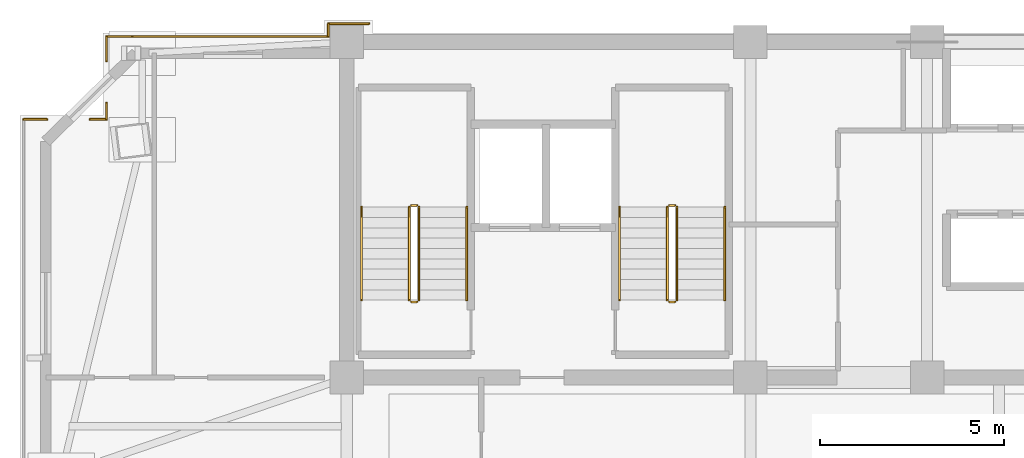
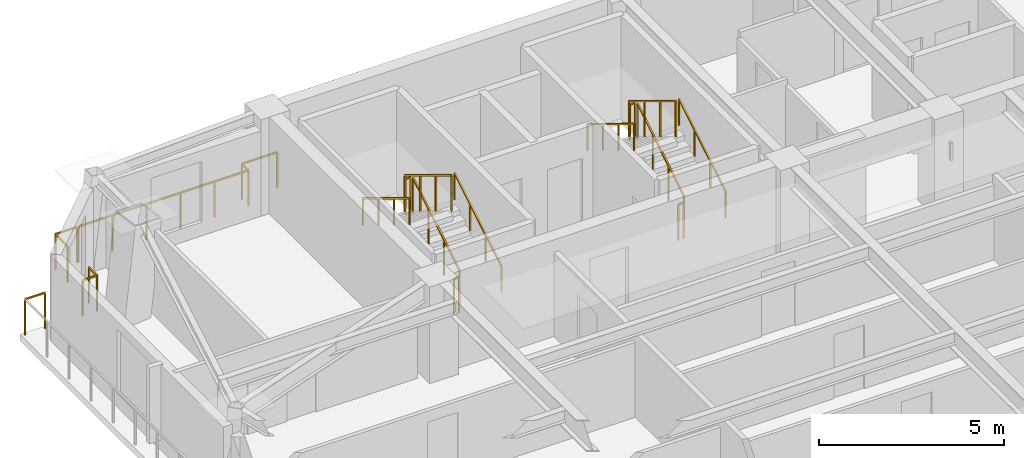
# One storey, part 11 of 12: 20 railings.
"""IFC4 building model written with IfcOpenShell, lengths in metres."""

import ifcopenshell
import ifcopenshell.guid

model = None  # the IFC model being written
_history = None  # IfcOwnerHistory: only IFC2X3 demands one
_inside = {}  # id of a spatial element -> (the spatial element, [elements in it])
_under = {}  # id of a project, library or spatial element -> (it, [spatial elements below it])
_declared = {}  # id of a project -> (the project, [libraries it declares])
_typed = {}  # id of a type object -> (the type object, [elements of that type])
_made_of = {}  # id of a material, layer set ... -> (it, [elements and type objects made of it])


def new_model(schema):
    """Start an empty IFC model of exactly this schema.

    Asked for "IFC4X3", IfcOpenShell would pick the latest addendum, in which some entities
    have other attributes; the version numbers below select the first issue.
    IFC2X3 requires an IfcOwnerHistory on every rooted entity: one is made here for all.
    """
    global model, _history
    if schema == "IFC4X3":
        model = ifcopenshell.file(schema_version=(4, 3, 0, 0))
    else:
        model = ifcopenshell.file(schema=schema)
    _inside.clear()
    _under.clear()
    _declared.clear()
    _typed.clear()
    _made_of.clear()
    _history = None
    if model.schema == "IFC2X3":
        org = make("IfcOrganization", Name="unknown")
        user = make(
            "IfcPersonAndOrganization",
            ThePerson=make("IfcPerson", FamilyName="unknown"),
            TheOrganization=org,
        )
        app = make(
            "IfcApplication",
            ApplicationDeveloper=org,
            Version="unknown",
            ApplicationFullName="unknown",
            ApplicationIdentifier="unknown",
        )
        _history = make(
            "IfcOwnerHistory",
            OwningUser=user,
            OwningApplication=app,
            ChangeAction="ADDED",
            CreationDate=0,
        )
    return model


def make(cls, **values):
    """One entity of the class cls with the attributes given. An attribute that is None is left unset."""
    return model.create_entity(
        cls, **{name: value for name, value in values.items() if value is not None}
    )


def rooted(cls, **values):
    """An entity with a GlobalId (a new one), such as an element, a storey or a relation."""
    return make(cls, GlobalId=ifcopenshell.guid.new(), OwnerHistory=_history, **values)


def si_unit(unit_type, name, prefix=None):
    """IfcSIUnit, for example si_unit("LENGTHUNIT", "METRE", prefix="MILLI")."""
    return make("IfcSIUnit", UnitType=unit_type, Prefix=prefix, Name=name)


def assignment(units):
    """IfcUnitAssignment: the units of a project."""
    return None if units is None else make("IfcUnitAssignment", Units=units)


def point(xyz):
    """IfcCartesianPoint."""
    return None if xyz is None else make("IfcCartesianPoint", Coordinates=xyz)


def direction(xyz):
    """IfcDirection."""
    return None if xyz is None else make("IfcDirection", DirectionRatios=xyz)


def frame(location, z_axis=None, x_axis=None):
    """IfcAxis2Placement3D, a coordinate frame: its origin and axes. An axis left out is left unset."""
    return make(
        "IfcAxis2Placement3D",
        Location=point(location),
        Axis=direction(z_axis),
        RefDirection=direction(x_axis),
    )


def frame_2d(location, x_axis=None):
    """IfcAxis2Placement2D, a coordinate frame in the plane: its origin and x axis."""
    return make(
        "IfcAxis2Placement2D", Location=point(location), RefDirection=direction(x_axis)
    )


def origin():
    """The frame at (0, 0, 0) with its axes left unset."""
    return frame((0.0, 0.0, 0.0))


def origin_2d():
    """The frame at (0, 0) in the plane with its x axis left unset."""
    return frame_2d((0.0, 0.0))


def place(relative_to, where):
    """IfcLocalPlacement: puts the frame where relative to a parent placement (None: the world)."""
    return make(
        "IfcLocalPlacement", PlacementRelTo=relative_to, RelativePlacement=where
    )


def context(
    kind, dimensions, precision=None, world=None, true_north=None, identifier=None
):
    """IfcGeometricRepresentationContext, for example the 3D "Model" context."""
    return make(
        "IfcGeometricRepresentationContext",
        ContextIdentifier=identifier,
        ContextType=kind,
        CoordinateSpaceDimension=dimensions,
        Precision=precision,
        WorldCoordinateSystem=world,
        TrueNorth=true_north,
    )


def subcontext(parent, identifier, kind, view, scale=None):
    """IfcGeometricRepresentationSubContext, for example "Body" below "Model"."""
    return make(
        "IfcGeometricRepresentationSubContext",
        ContextIdentifier=identifier,
        ContextType=kind,
        ParentContext=parent,
        TargetScale=scale,
        TargetView=view,
    )


def project(units=None, contexts=None):
    """IfcProject with its units and contexts."""
    return rooted(
        "IfcProject",
        Name="project",
        RepresentationContexts=contexts,
        UnitsInContext=assignment(units),
    )


def spatial(cls, under=None, at=None, **own):
    """A site, building, storey or space (cls), placed at a placement, below another one or the project."""
    s = rooted(cls, ObjectPlacement=at, **own)
    if under is not None:
        _under.setdefault(under.id(), (under, []))[1].append(s)
    return s


def profile(cls, at=None, kind="AREA", **sizes):
    """A parametric profile (cls). Its sizes go by their IFC names, for example OverallWidth=200.0."""
    return make(cls, ProfileType=kind, Position=at, **sizes)


def rectangle(**sizes):
    """IfcRectangleProfileDef."""
    return profile("IfcRectangleProfileDef", **sizes)


def extrude(swept, where, along, depth):
    """IfcExtrudedAreaSolid: the profile swept, set in the frame where, extruded along a direction by depth."""
    return make(
        "IfcExtrudedAreaSolid",
        SweptArea=swept,
        Position=where,
        ExtrudedDirection=direction(along),
        Depth=depth,
    )


def shape(context_of_items, identifier, shape_type, items):
    """IfcShapeRepresentation: the items that make up one representation, for example the "Body"."""
    return make(
        "IfcShapeRepresentation",
        ContextOfItems=context_of_items,
        RepresentationIdentifier=identifier,
        RepresentationType=shape_type,
        Items=items,
    )


def material(Name=None, Category=None):
    """IfcMaterial."""
    return make("IfcMaterial", Name=Name, Category=Category)


def made_of(thing, what):
    """Note that an element or type object is made of a material, layer set ...; save() writes the relation."""
    if what is not None:
        _made_of.setdefault(what.id(), (what, []))[1].append(thing)
    return thing


def type_object(cls, material=None, **own):
    """A type object (cls), such as IfcWallType, which elements share."""
    return made_of(rooted(cls, **own), material)


def element(
    cls,
    number,
    at=None,
    inside=None,
    cuts=None,
    type_object=None,
    material=None,
    context=None,
    identifier="Body",
    shape_type=None,
    held_by="IfcProductDefinitionShape",
    body=None,
    shapes=None,
    **own,
):
    """One element of the class cls, such as IfcWall. Its Tag is "e" and its number.

    at: its placement. inside: the storey or other place that contains it. cuts: it is an
    opening in that element (IfcRelVoidsElement). A single representation is given by context,
    identifier, shape_type and body (its items); several are given by shapes. held_by: the class
    of the entity that holds the representations. save() writes the other relations.
    """
    e = rooted(cls, Tag="e%d" % number, ObjectPlacement=at, **own)
    if body is not None:
        shapes = [shape(context, identifier, shape_type, body)]
    if shapes is not None:
        e.Representation = make(held_by, Representations=shapes)
    if inside is not None:
        _inside.setdefault(inside.id(), (inside, []))[1].append(e)
    if cuts is not None:
        rooted(
            "IfcRelVoidsElement", RelatingBuildingElement=cuts, RelatedOpeningElement=e
        )
    if type_object is not None:
        _typed.setdefault(type_object.id(), (type_object, []))[1].append(e)
    return made_of(e, material)


def aggregate(whole, parts):
    """IfcRelAggregates: a whole, such as a stair, and the parts it consists of."""
    return rooted("IfcRelAggregates", RelatingObject=whole, RelatedObjects=parts)


def save(model, path):
    """Write the relations noted so far, then the file.

    IfcRelAggregates (storeys below a building ...), IfcRelContainedInSpatialStructure (elements
    in a storey), IfcRelDefinesByType, IfcRelAssociatesMaterial and IfcRelDeclares: one each for
    every whole, place, type object, material and project.
    """
    for whole, parts in _under.values():
        aggregate(whole, parts)
    for where, things in _inside.values():
        rooted(
            "IfcRelContainedInSpatialStructure",
            RelatedElements=things,
            RelatingStructure=where,
        )
    for kind, things in _typed.values():
        rooted("IfcRelDefinesByType", RelatedObjects=things, RelatingType=kind)
    for what, things in _made_of.values():
        rooted("IfcRelAssociatesMaterial", RelatedObjects=things, RelatingMaterial=what)
    for by, libraries in _declared.values():
        rooted("IfcRelDeclares", RelatingContext=by, RelatedDefinitions=libraries)
    model.write(path)


model = new_model("IFC4")

# Units and contexts
model_context = context("Model", 3, precision=1e-05, world=origin(), true_north=direction((0.0, 1.0)))
body_context = subcontext(model_context, "Body", "Model", "MODEL_VIEW")
ifc_project = project(units=[si_unit("LENGTHUNIT", "METRE"), si_unit("AREAUNIT", "SQUARE_METRE"), si_unit("VOLUMEUNIT", "CUBIC_METRE"), si_unit("PLANEANGLEUNIT", "RADIAN"), si_unit("MASSUNIT", "GRAM", prefix="KILO")], contexts=[model_context])

# Site, building, storey
site_placement = place(None, origin())
site = spatial("IfcSite", under=ifc_project, at=site_placement, CompositionType="ELEMENT")
building_placement = place(site_placement, origin())
building = spatial("IfcBuilding", under=site, at=building_placement, Name="Giltprow Tower", CompositionType="ELEMENT")
storey_placement = place(building_placement, frame((0.0, 0.0, 342.5)))
storey = spatial("IfcBuildingStorey", under=building, at=storey_placement, Name="L89", CompositionType="ELEMENT", Elevation=342.5)

# Railings
ifc_material = material(Name="Anodized bronze", Category="metal")
railing_type_1 = type_object("IfcRailingType", Name="RAIL-BALC-GUARD-1200", PredefinedType="BALUSTRADE", material=ifc_material)
railing_1_placement = place(storey_placement, frame((11.0849609375, 44.4541015625, 0.0)))
element("IfcRailing", 1, at=railing_1_placement, inside=storey, type_object=railing_type_1, Name="L89 Corner Apron Edge Balustrade 14", PredefinedType="BALUSTRADE", context=body_context, shape_type="SweptSolid", body=[
    extrude(rectangle(XDim=0.048095703125, YDim=0.048095703125, at=origin_2d()), frame((0.0, 0.0, 1.17578125), z_axis=(1.0, 0.0, 0.0), x_axis=(0.0, 1.0, 0.0)), (0.0, 0.0, 1.0), 0.626953125),
    extrude(rectangle(XDim=0.0419921875, YDim=0.0419921875, at=origin_2d()), origin(), (0.0, 0.0, 1.0), 1.15185546875),
    extrude(rectangle(XDim=0.0419921875, YDim=0.0419921875, at=origin_2d()), frame((0.626953125, 0.0, 0.0)), (0.0, 0.0, 1.0), 1.15185546875),
])
railing_2_placement = place(storey_placement, frame((12.883056640625, 44.4541015625, 0.0)))
element("IfcRailing", 2, at=railing_2_placement, inside=storey, type_object=railing_type_1, Name="L89 Corner Apron Edge Balustrade 15", PredefinedType="BALUSTRADE", context=body_context, shape_type="SweptSolid", body=[
    extrude(rectangle(XDim=0.048095703125, YDim=0.048095703125, at=origin_2d()), frame((0.0, 0.0, 1.17578125), z_axis=(1.0, 0.0, 0.0), x_axis=(0.0, 1.0, 0.0)), (0.0, 0.0, 1.0), 0.447998046875),
    extrude(rectangle(XDim=0.0419921875, YDim=0.0419921875, at=origin_2d()), origin(), (0.0, 0.0, 1.0), 1.15185546875),
    extrude(rectangle(XDim=0.0419921875, YDim=0.0419921875, at=origin_2d()), frame((0.447998046875, 0.0, 0.0)), (0.0, 0.0, 1.0), 1.15185546875),
])
railing_3_placement = place(storey_placement, frame((13.3310546875, 44.4541015625, 0.0)))
element("IfcRailing", 3, at=railing_3_placement, inside=storey, type_object=railing_type_1, Name="L89 Corner Apron Edge Balustrade 16", PredefinedType="BALUSTRADE", context=body_context, shape_type="SweptSolid", body=[
    extrude(rectangle(XDim=0.048095703125, YDim=0.048095703125, at=origin_2d()), frame((0.0, 0.0, 1.17578125), z_axis=(0.0, 1.0, 0.0), x_axis=(-1.0, 0.0, 0.0)), (0.0, 0.0, 1.0), 0.43798828125),
    extrude(rectangle(XDim=0.0419921875, YDim=0.0419921875, at=origin_2d()), origin(), (0.0, 0.0, 1.0), 1.15185546875),
    extrude(rectangle(XDim=0.0419921875, YDim=0.0419921875, at=origin_2d()), frame((0.0, 0.43798828125, 0.0)), (0.0, 0.0, 1.0), 1.15185546875),
])
railing_4_placement = place(storey_placement, frame((13.3310546875, 46.0400390625, 0.0)))
element("IfcRailing", 4, at=railing_4_placement, inside=storey, type_object=railing_type_1, Name="L89 Corner Apron Edge Balustrade 17", PredefinedType="BALUSTRADE", context=body_context, shape_type="SweptSolid", body=[
    extrude(rectangle(XDim=0.048095703125, YDim=0.048095703125, at=origin_2d()), frame((0.0, 0.0, 1.17578125), z_axis=(0.0, 1.0, 0.0), x_axis=(-1.0, 0.0, 0.0)), (0.0, 0.0, 1.0), 0.659912109375),
    extrude(rectangle(XDim=0.0419921875, YDim=0.0419921875, at=origin_2d()), origin(), (0.0, 0.0, 1.0), 1.15185546875),
    extrude(rectangle(XDim=0.0419921875, YDim=0.0419921875, at=origin_2d()), frame((0.0, 0.659912109375, 0.0)), (0.0, 0.0, 1.0), 1.15185546875),
])
railing_5_placement = place(storey_placement, frame((13.3310546875, 46.699951171875, 0.0)))
element("IfcRailing", 5, at=railing_5_placement, inside=storey, type_object=railing_type_1, Name="L89 Corner Apron Edge Balustrade 18", PredefinedType="BALUSTRADE", context=body_context, shape_type="SweptSolid", body=[
    extrude(rectangle(XDim=0.048095703125, YDim=0.048095703125, at=origin_2d()), frame((0.0, 0.0, 1.17578125), z_axis=(1.0, 0.0, 0.0), x_axis=(0.0, 1.0, 0.0)), (0.0, 0.0, 1.0), 0.6728515625),
    extrude(rectangle(XDim=0.0419921875, YDim=0.0419921875, at=origin_2d()), origin(), (0.0, 0.0, 1.0), 1.15185546875),
    extrude(rectangle(XDim=0.0419921875, YDim=0.0419921875, at=origin_2d()), frame((0.6728515625, 0.0, 0.0)), (0.0, 0.0, 1.0), 1.15185546875),
])
railing_6_placement = place(storey_placement, frame((14.053955078125, 46.699951171875, 0.0)))
element("IfcRailing", 6, at=railing_6_placement, inside=storey, type_object=railing_type_1, Name="L89 Corner Apron Edge Balustrade 19", PredefinedType="BALUSTRADE", context=body_context, shape_type="SweptSolid", body=[
    extrude(rectangle(XDim=0.048095703125, YDim=0.048095703125, at=origin_2d()), frame((0.0, 0.0, 1.17578125), z_axis=(1.0, 0.0, 0.0), x_axis=(0.0, 1.0, 0.0)), (0.0, 0.0, 1.0), 5.296142578125),
    extrude(rectangle(XDim=0.0419921875, YDim=0.0419921875, at=origin_2d()), origin(), (0.0, 0.0, 1.0), 1.15185546875),
    extrude(rectangle(XDim=0.0419921875, YDim=0.0419921875, at=origin_2d()), frame((1.059326171875, 0.0, 0.0)), (0.0, 0.0, 1.0), 1.15185546875),
    extrude(rectangle(XDim=0.0419921875, YDim=0.0419921875, at=origin_2d()), frame((2.118408203125, 0.0, 0.0)), (0.0, 0.0, 1.0), 1.15185546875),
    extrude(rectangle(XDim=0.0419921875, YDim=0.0419921875, at=origin_2d()), frame((3.177734375, 0.0, 0.0)), (0.0, 0.0, 1.0), 1.15185546875),
    extrude(rectangle(XDim=0.0419921875, YDim=0.0419921875, at=origin_2d()), frame((4.23681640625, 0.0, 0.0)), (0.0, 0.0, 1.0), 1.15185546875),
    extrude(rectangle(XDim=0.0419921875, YDim=0.0419921875, at=origin_2d()), frame((5.296142578125, 0.0, 0.0)), (0.0, 0.0, 1.0), 1.15185546875),
])
railing_7_placement = place(storey_placement, frame((19.35009765625, 46.699951171875, 0.0)))
element("IfcRailing", 7, at=railing_7_placement, inside=storey, type_object=railing_type_1, Name="L89 Corner Apron Edge Balustrade 20", PredefinedType="BALUSTRADE", context=body_context, shape_type="SweptSolid", body=[
    extrude(rectangle(XDim=0.048095703125, YDim=0.048095703125, at=origin_2d()), frame((0.0, 0.0, 1.17578125), z_axis=(0.0, 1.0, 0.0), x_axis=(-1.0, 0.0, 0.0)), (0.0, 0.0, 1.0), 0.35009765625),
    extrude(rectangle(XDim=0.0419921875, YDim=0.0419921875, at=origin_2d()), origin(), (0.0, 0.0, 1.0), 1.15185546875),
    extrude(rectangle(XDim=0.0419921875, YDim=0.0419921875, at=origin_2d()), frame((0.0, 0.35009765625, 0.0)), (0.0, 0.0, 1.0), 1.15185546875),
])
railing_8_placement = place(storey_placement, frame((19.35009765625, 47.050048828125, 0.0)))
element("IfcRailing", 8, at=railing_8_placement, inside=storey, type_object=railing_type_1, Name="L89 Corner Apron Edge Balustrade 21", PredefinedType="BALUSTRADE", context=body_context, shape_type="SweptSolid", body=[
    extrude(rectangle(XDim=0.048095703125, YDim=0.048095703125, at=origin_2d()), frame((0.0, 0.0, 1.17578125), z_axis=(1.0, 0.0, 0.0), x_axis=(0.0, 1.0, 0.0)), (0.0, 0.0, 1.0), 1.099853515625),
    extrude(rectangle(XDim=0.0419921875, YDim=0.0419921875, at=origin_2d()), origin(), (0.0, 0.0, 1.0), 1.15185546875),
    extrude(rectangle(XDim=0.0419921875, YDim=0.0419921875, at=origin_2d()), frame((1.099853515625, 0.0, 0.0)), (0.0, 0.0, 1.0), 1.15185546875),
])
railing_type_2 = type_object("IfcRailingType", Name="RAIL-STAIR-GUARD-1200", PredefinedType="GUARDRAIL", material=ifc_material)
railing_9_placement = place(storey_placement, frame((21.81005859375, 39.550048828125, 0.169921875)))
element("IfcRailing", 9, at=railing_9_placement, inside=storey, type_object=railing_type_2, Name="L89 ST-1 stair guard 1", PredefinedType="GUARDRAIL", context=body_context, shape_type="SweptSolid", body=[
    extrude(rectangle(XDim=0.048095703125, YDim=0.048095703125, at=origin_2d()), frame((0.0, 0.0, 1.17578125), z_axis=(0.0, 0.85478489116, 0.518982456201), x_axis=(-1.0, 0.0, 0.0)), (0.0, 0.0, 1.0), 2.9482421875),
    extrude(rectangle(XDim=0.0419921875, YDim=0.0419921875, at=origin_2d()), origin(), (0.0, 0.0, 1.0), 1.15185546875),
    extrude(rectangle(XDim=0.0419921875, YDim=0.0419921875, at=origin_2d()), frame((0.0, 0.840087890625, 0.510009765625)), (0.0, 0.0, 1.0), 1.15185546875),
    extrude(rectangle(XDim=0.0419921875, YDim=0.0419921875, at=origin_2d()), frame((0.0, 1.679931640625, 1.02001953125)), (0.0, 0.0, 1.0), 1.15185546875),
    extrude(rectangle(XDim=0.0419921875, YDim=0.0419921875, at=origin_2d()), frame((0.0, 2.52001953125, 1.530029296875)), (0.0, 0.0, 1.0), 1.15185546875),
])
railing_10_placement = place(storey_placement, frame((21.760009765625, 42.1201171875, 1.699951171875)))
element("IfcRailing", 10, at=railing_10_placement, inside=storey, type_object=railing_type_2, Name="L89 ST-1 stair guard 2", PredefinedType="GUARDRAIL", context=body_context, shape_type="SweptSolid", body=[
    extrude(rectangle(XDim=0.048095703125, YDim=0.048095703125, at=origin_2d()), frame((0.0, 0.0, 1.17578125), z_axis=(-1.0, 0.0, 0.0), x_axis=(0.0, -1.0, 0.0)), (0.0, 0.0, 1.0), 0.159912109375),
    extrude(rectangle(XDim=0.0419921875, YDim=0.0419921875, at=origin_2d()), origin(), (0.0, 0.0, 1.0), 1.15185546875),
    extrude(rectangle(XDim=0.0419921875, YDim=0.0419921875, at=origin_2d()), frame((-0.159912109375, 0.0, 0.0)), (0.0, 0.0, 1.0), 1.15185546875),
])
railing_11_placement = place(storey_placement, frame((21.550048828125, 42.070068359375, 1.8701171875)))
element("IfcRailing", 11, at=railing_11_placement, inside=storey, type_object=railing_type_2, Name="L89 ST-1 stair guard 3", PredefinedType="GUARDRAIL", context=body_context, shape_type="SweptSolid", body=[
    extrude(rectangle(XDim=0.048095703125, YDim=0.048095703125, at=origin_2d()), frame((0.0, 0.0, 1.17578125), z_axis=(0.0, -0.854821627497, 0.518921945155), x_axis=(1.0, 0.0, 0.0)), (0.0, 0.0, 1.0), 2.947998046875),
    extrude(rectangle(XDim=0.0419921875, YDim=0.0419921875, at=origin_2d()), origin(), (0.0, 0.0, 1.0), 1.15185546875),
    extrude(rectangle(XDim=0.0419921875, YDim=0.0419921875, at=origin_2d()), frame((0.0, -0.840087890625, 0.510009765625)), (0.0, 0.0, 1.0), 1.15185546875),
    extrude(rectangle(XDim=0.0419921875, YDim=0.0419921875, at=origin_2d()), frame((0.0, -1.679931640625, 1.019775390625)), (0.0, 0.0, 1.0), 1.15185546875),
    extrude(rectangle(XDim=0.0419921875, YDim=0.0419921875, at=origin_2d()), frame((0.0, -2.52001953125, 1.52978515625)), (0.0, 0.0, 1.0), 1.15185546875),
])
railing_12_placement = place(storey_placement, frame((21.760009765625, 39.5, 0.0)))
element("IfcRailing", 12, at=railing_12_placement, inside=storey, type_object=railing_type_2, Name="L89 ST-1 stair guard 4", PredefinedType="GUARDRAIL", context=body_context, shape_type="SweptSolid", body=[
    extrude(rectangle(XDim=0.048095703125, YDim=0.048095703125, at=origin_2d()), frame((0.0, 0.0, 1.17578125), z_axis=(-1.0, 0.0, 0.0), x_axis=(0.0, -1.0, 0.0)), (0.0, 0.0, 1.0), 0.159912109375),
    extrude(rectangle(XDim=0.0419921875, YDim=0.0419921875, at=origin_2d()), origin(), (0.0, 0.0, 1.0), 1.15185546875),
    extrude(rectangle(XDim=0.0419921875, YDim=0.0419921875, at=origin_2d()), frame((-0.159912109375, 0.0, 0.0)), (0.0, 0.0, 1.0), 1.15185546875),
])
railing_13_placement = place(storey_placement, frame((28.81005859375, 39.550048828125, 0.169921875)))
element("IfcRailing", 13, at=railing_13_placement, inside=storey, type_object=railing_type_2, Name="L89 ST-2 stair guard 1", PredefinedType="GUARDRAIL", context=body_context, shape_type="SweptSolid", body=[
    extrude(rectangle(XDim=0.048095703125, YDim=0.048095703125, at=origin_2d()), frame((0.0, 0.0, 1.17578125), z_axis=(0.0, 0.85478489116, 0.518982456201), x_axis=(-1.0, 0.0, 0.0)), (0.0, 0.0, 1.0), 2.9482421875),
    extrude(rectangle(XDim=0.0419921875, YDim=0.0419921875, at=origin_2d()), origin(), (0.0, 0.0, 1.0), 1.15185546875),
    extrude(rectangle(XDim=0.0419921875, YDim=0.0419921875, at=origin_2d()), frame((0.0, 0.840087890625, 0.510009765625)), (0.0, 0.0, 1.0), 1.15185546875),
    extrude(rectangle(XDim=0.0419921875, YDim=0.0419921875, at=origin_2d()), frame((0.0, 1.679931640625, 1.02001953125)), (0.0, 0.0, 1.0), 1.15185546875),
    extrude(rectangle(XDim=0.0419921875, YDim=0.0419921875, at=origin_2d()), frame((0.0, 2.52001953125, 1.530029296875)), (0.0, 0.0, 1.0), 1.15185546875),
])
railing_14_placement = place(storey_placement, frame((28.760009765625, 42.1201171875, 1.699951171875)))
element("IfcRailing", 14, at=railing_14_placement, inside=storey, type_object=railing_type_2, Name="L89 ST-2 stair guard 2", PredefinedType="GUARDRAIL", context=body_context, shape_type="SweptSolid", body=[
    extrude(rectangle(XDim=0.048095703125, YDim=0.048095703125, at=origin_2d()), frame((0.0, 0.0, 1.17578125), z_axis=(-1.0, 0.0, 0.0), x_axis=(0.0, -1.0, 0.0)), (0.0, 0.0, 1.0), 0.159912109375),
    extrude(rectangle(XDim=0.0419921875, YDim=0.0419921875, at=origin_2d()), origin(), (0.0, 0.0, 1.0), 1.15185546875),
    extrude(rectangle(XDim=0.0419921875, YDim=0.0419921875, at=origin_2d()), frame((-0.159912109375, 0.0, 0.0)), (0.0, 0.0, 1.0), 1.15185546875),
])
railing_15_placement = place(storey_placement, frame((28.550048828125, 42.070068359375, 1.8701171875)))
element("IfcRailing", 15, at=railing_15_placement, inside=storey, type_object=railing_type_2, Name="L89 ST-2 stair guard 3", PredefinedType="GUARDRAIL", context=body_context, shape_type="SweptSolid", body=[
    extrude(rectangle(XDim=0.048095703125, YDim=0.048095703125, at=origin_2d()), frame((0.0, 0.0, 1.17578125), z_axis=(0.0, -0.854821627497, 0.518921945155), x_axis=(1.0, 0.0, 0.0)), (0.0, 0.0, 1.0), 2.947998046875),
    extrude(rectangle(XDim=0.0419921875, YDim=0.0419921875, at=origin_2d()), origin(), (0.0, 0.0, 1.0), 1.15185546875),
    extrude(rectangle(XDim=0.0419921875, YDim=0.0419921875, at=origin_2d()), frame((0.0, -0.840087890625, 0.510009765625)), (0.0, 0.0, 1.0), 1.15185546875),
    extrude(rectangle(XDim=0.0419921875, YDim=0.0419921875, at=origin_2d()), frame((0.0, -1.679931640625, 1.019775390625)), (0.0, 0.0, 1.0), 1.15185546875),
    extrude(rectangle(XDim=0.0419921875, YDim=0.0419921875, at=origin_2d()), frame((0.0, -2.52001953125, 1.52978515625)), (0.0, 0.0, 1.0), 1.15185546875),
])
railing_16_placement = place(storey_placement, frame((28.760009765625, 39.5, 0.0)))
element("IfcRailing", 16, at=railing_16_placement, inside=storey, type_object=railing_type_2, Name="L89 ST-2 stair guard 4", PredefinedType="GUARDRAIL", context=body_context, shape_type="SweptSolid", body=[
    extrude(rectangle(XDim=0.048095703125, YDim=0.048095703125, at=origin_2d()), frame((0.0, 0.0, 1.17578125), z_axis=(-1.0, 0.0, 0.0), x_axis=(0.0, -1.0, 0.0)), (0.0, 0.0, 1.0), 0.159912109375),
    extrude(rectangle(XDim=0.0419921875, YDim=0.0419921875, at=origin_2d()), origin(), (0.0, 0.0, 1.0), 1.15185546875),
    extrude(rectangle(XDim=0.0419921875, YDim=0.0419921875, at=origin_2d()), frame((-0.159912109375, 0.0, 0.0)), (0.0, 0.0, 1.0), 1.15185546875),
])
railing_type_3 = type_object("IfcRailingType", Name="RAIL-STAIR-HAND-900", PredefinedType="HANDRAIL", material=ifc_material)
railing_17_placement = place(storey_placement, frame((23.110107421875, 39.550048828125, 0.169921875)))
element("IfcRailing", 17, at=railing_17_placement, inside=storey, type_object=railing_type_3, Name="L89 ST-1 stair handrail 1", PredefinedType="HANDRAIL", context=body_context, shape_type="SweptSolid", body=[
    extrude(rectangle(XDim=0.048095703125, YDim=0.048095703125, at=origin_2d()), frame((0.0, 0.0, 0.8759765625), z_axis=(0.0, 0.85478489116, 0.518982456201), x_axis=(-1.0, 0.0, 0.0)), (0.0, 0.0, 1.0), 2.9482421875),
    extrude(rectangle(XDim=0.0419921875, YDim=0.0419921875, at=origin_2d()), origin(), (0.0, 0.0, 1.0), 0.851806640625),
    extrude(rectangle(XDim=0.0419921875, YDim=0.0419921875, at=origin_2d()), frame((0.0, 0.840087890625, 0.510009765625)), (0.0, 0.0, 1.0), 0.851806640625),
    extrude(rectangle(XDim=0.0419921875, YDim=0.0419921875, at=origin_2d()), frame((0.0, 1.679931640625, 1.02001953125)), (0.0, 0.0, 1.0), 0.851806640625),
    extrude(rectangle(XDim=0.0419921875, YDim=0.0419921875, at=origin_2d()), frame((0.0, 2.52001953125, 1.530029296875)), (0.0, 0.0, 1.0), 0.851806640625),
])
railing_18_placement = place(storey_placement, frame((20.25, 42.070068359375, 1.8701171875)))
element("IfcRailing", 18, at=railing_18_placement, inside=storey, type_object=railing_type_3, Name="L89 ST-1 stair handrail 2", PredefinedType="HANDRAIL", context=body_context, shape_type="SweptSolid", body=[
    extrude(rectangle(XDim=0.048095703125, YDim=0.048095703125, at=origin_2d()), frame((0.0, 0.0, 0.8759765625), z_axis=(0.0, -0.854821627497, 0.518921945155), x_axis=(1.0, 0.0, 0.0)), (0.0, 0.0, 1.0), 2.947998046875),
    extrude(rectangle(XDim=0.0419921875, YDim=0.0419921875, at=origin_2d()), origin(), (0.0, 0.0, 1.0), 0.851806640625),
    extrude(rectangle(XDim=0.0419921875, YDim=0.0419921875, at=origin_2d()), frame((0.0, -0.840087890625, 0.510009765625)), (0.0, 0.0, 1.0), 0.851806640625),
    extrude(rectangle(XDim=0.0419921875, YDim=0.0419921875, at=origin_2d()), frame((0.0, -1.679931640625, 1.019775390625)), (0.0, 0.0, 1.0), 0.851806640625),
    extrude(rectangle(XDim=0.0419921875, YDim=0.0419921875, at=origin_2d()), frame((0.0, -2.52001953125, 1.52978515625)), (0.0, 0.0, 1.0), 0.851806640625),
])
railing_19_placement = place(storey_placement, frame((30.110107421875, 39.550048828125, 0.169921875)))
element("IfcRailing", 19, at=railing_19_placement, inside=storey, type_object=railing_type_3, Name="L89 ST-2 stair handrail 1", PredefinedType="HANDRAIL", context=body_context, shape_type="SweptSolid", body=[
    extrude(rectangle(XDim=0.048095703125, YDim=0.048095703125, at=origin_2d()), frame((0.0, 0.0, 0.8759765625), z_axis=(0.0, 0.85478489116, 0.518982456201), x_axis=(-1.0, 0.0, 0.0)), (0.0, 0.0, 1.0), 2.9482421875),
    extrude(rectangle(XDim=0.0419921875, YDim=0.0419921875, at=origin_2d()), origin(), (0.0, 0.0, 1.0), 0.851806640625),
    extrude(rectangle(XDim=0.0419921875, YDim=0.0419921875, at=origin_2d()), frame((0.0, 0.840087890625, 0.510009765625)), (0.0, 0.0, 1.0), 0.851806640625),
    extrude(rectangle(XDim=0.0419921875, YDim=0.0419921875, at=origin_2d()), frame((0.0, 1.679931640625, 1.02001953125)), (0.0, 0.0, 1.0), 0.851806640625),
    extrude(rectangle(XDim=0.0419921875, YDim=0.0419921875, at=origin_2d()), frame((0.0, 2.52001953125, 1.530029296875)), (0.0, 0.0, 1.0), 0.851806640625),
])
railing_20_placement = place(storey_placement, frame((27.25, 42.070068359375, 1.8701171875)))
element("IfcRailing", 20, at=railing_20_placement, inside=storey, type_object=railing_type_3, Name="L89 ST-2 stair handrail 2", PredefinedType="HANDRAIL", context=body_context, shape_type="SweptSolid", body=[
    extrude(rectangle(XDim=0.048095703125, YDim=0.048095703125, at=origin_2d()), frame((0.0, 0.0, 0.8759765625), z_axis=(0.0, -0.854821627497, 0.518921945155), x_axis=(1.0, 0.0, 0.0)), (0.0, 0.0, 1.0), 2.947998046875),
    extrude(rectangle(XDim=0.0419921875, YDim=0.0419921875, at=origin_2d()), origin(), (0.0, 0.0, 1.0), 0.851806640625),
    extrude(rectangle(XDim=0.0419921875, YDim=0.0419921875, at=origin_2d()), frame((0.0, -0.840087890625, 0.510009765625)), (0.0, 0.0, 1.0), 0.851806640625),
    extrude(rectangle(XDim=0.0419921875, YDim=0.0419921875, at=origin_2d()), frame((0.0, -1.679931640625, 1.019775390625)), (0.0, 0.0, 1.0), 0.851806640625),
    extrude(rectangle(XDim=0.0419921875, YDim=0.0419921875, at=origin_2d()), frame((0.0, -2.52001953125, 1.52978515625)), (0.0, 0.0, 1.0), 0.851806640625),
])

save(model, "model.ifc")
